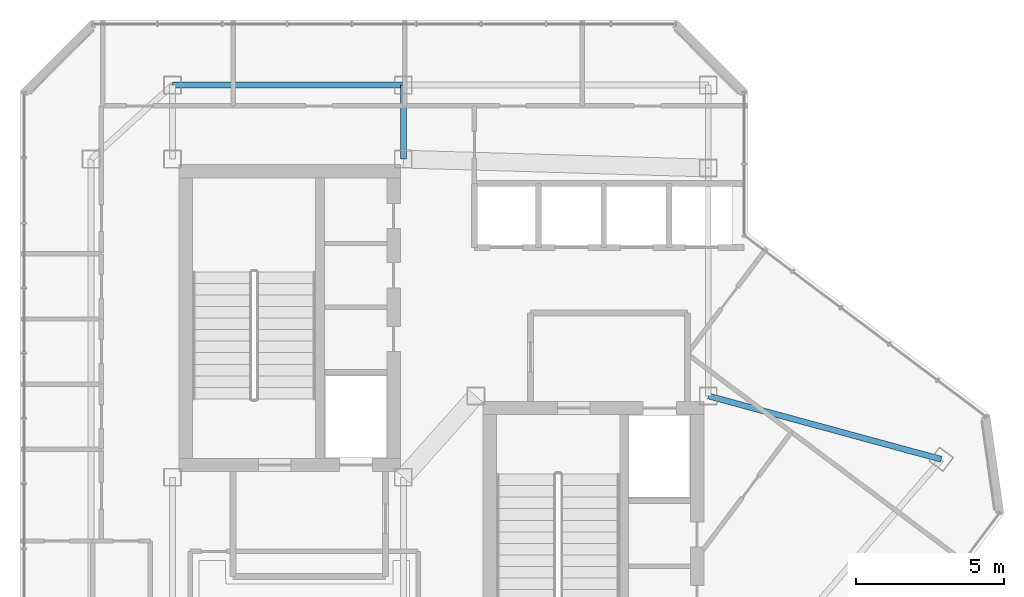
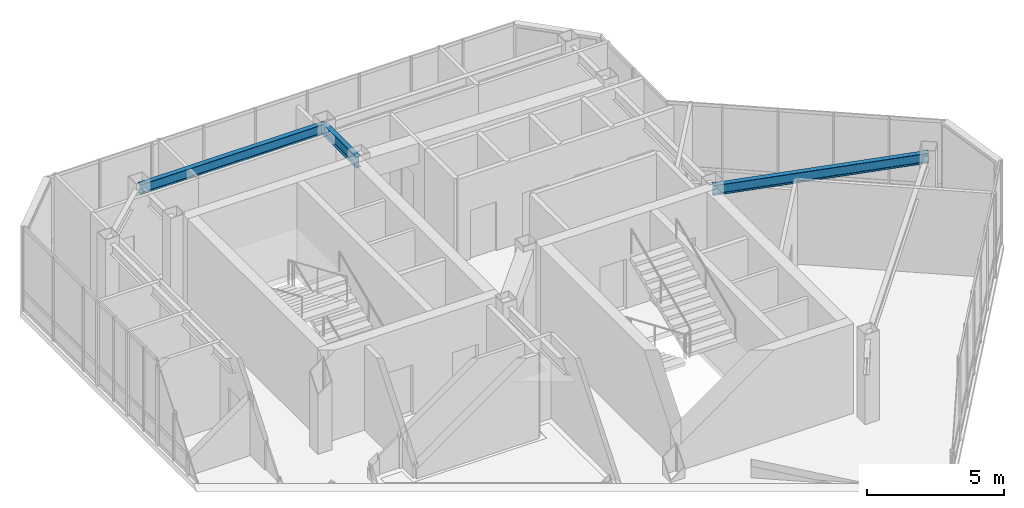
# One storey, part 16 of 30: 3 beams.
"""IFC4 building model written with IfcOpenShell, lengths in metres."""

from ifc_helpers import new_model, si_unit, direction, frame, origin, origin_2d, place, context, subcontext, project, spatial, i_section, extrude, material, material_profile, profile_set, type_object, element, save


model = new_model("IFC4")

# Units and contexts
model_context = context("Model", 3, precision=1e-05, world=origin(), true_north=direction((0.0, 1.0)))
body_context = subcontext(model_context, "Body", "Model", "MODEL_VIEW")
ifc_project = project(units=[si_unit("LENGTHUNIT", "METRE"), si_unit("AREAUNIT", "SQUARE_METRE"), si_unit("VOLUMEUNIT", "CUBIC_METRE"), si_unit("PLANEANGLEUNIT", "RADIAN"), si_unit("MASSUNIT", "GRAM", prefix="KILO")], contexts=[model_context])

# Site, building, storey
site_placement = place(None, origin())
site = spatial("IfcSite", under=ifc_project, at=site_placement, CompositionType="ELEMENT")
building_placement = place(site_placement, origin())
building = spatial("IfcBuilding", under=site, at=building_placement, Name="Hatsunagi Terrace Concourse", CompositionType="ELEMENT")
storey_placement = place(building_placement, frame((0.0, 0.0, 273.949951171875)))
storey = spatial("IfcBuildingStorey", under=building, at=storey_placement, Name="L72", CompositionType="ELEMENT", Elevation=273.949951171875)

# Beams
ifc_material_1 = material(Name="Steel SN490B", Category="steel")
ifc_material_profile_1 = material_profile(ifc_material_1, i_section(OverallWidth=0.199951171875, OverallDepth=0.5, WebThickness=0.010009765625, FlangeThickness=0.01611328125, FilletRadius=0.01611328125, at=origin_2d()), Name="H-500x200x10x16")
ifc_profile_set_1 = profile_set([ifc_material_profile_1], Name="Steel SN490B")
beam_type_1 = type_object("IfcBeamType", Name="CrownFloorGirder_H_500x200", PredefinedType="BEAM", material=ifc_profile_set_1)
beam_1_placement = place(storey_placement, frame((33.35009765625, 43.300048828125, 3.5), z_axis=(0.0, 1.0, 0.0), x_axis=(-1.0, 0.0, 0.0)))
element("IfcBeam", 1, at=beam_1_placement, inside=storey, type_object=beam_type_1, Name="Beam G-07 BM-L72-CN2", PredefinedType="BEAM", context=body_context, shape_type="SweptSolid", body=[
    extrude(i_section(OverallWidth=0.199951171875, OverallDepth=0.5, WebThickness=0.010009765625, FlangeThickness=0.01611328125, FilletRadius=0.01611328125, at=origin_2d()), origin(), (0.0, 0.0, 1.0), 2.5),
])
ifc_material_2 = material(Name="Steel SN490B", Category="steel")
ifc_material_profile_2 = material_profile(ifc_material_2, i_section(OverallWidth=0.199951171875, OverallDepth=0.449951171875, WebThickness=0.009033203125, FlangeThickness=0.013916015625, FilletRadius=0.01611328125, at=origin_2d()), Name="H-450x200x9x14")
ifc_profile_set_2 = profile_set([ifc_material_profile_2], Name="Steel SN490B")
beam_type_2 = type_object("IfcBeamType", Name="PerimeterSpandrel_H_450x200", PredefinedType="SPANDREL", material=ifc_profile_set_2)
beam_2_placement = place(storey_placement, frame((25.550048828125, 45.800048828125, 3.525146484375), z_axis=(1.0, 0.0, 0.0), x_axis=(0.0, 1.0, 0.0)))
element("IfcBeam", 2, at=beam_2_placement, inside=storey, type_object=beam_type_2, Name="Beam SP-02 BM-L72-CNEW1", PredefinedType="SPANDREL", context=body_context, shape_type="SweptSolid", body=[
    extrude(i_section(OverallWidth=0.199951171875, OverallDepth=0.449951171875, WebThickness=0.009033203125, FlangeThickness=0.013916015625, FilletRadius=0.01611328125, at=origin_2d()), origin(), (0.0, 0.0, 1.0), 7.800048828125),
])
beam_3_placement = place(storey_placement, frame((43.64990234375, 35.300048828125, 3.525146484375), z_axis=(0.964958359286, -0.262403057994, 0.0), x_axis=(0.262403057994, 0.964958359286, 0.0)))
element("IfcBeam", 3, at=beam_3_placement, inside=storey, type_object=beam_type_2, Name="Beam SP-02 BM-L72-SE-NE0", PredefinedType="SPANDREL", context=body_context, shape_type="SweptSolid", body=[
    extrude(i_section(OverallWidth=0.199951171875, OverallDepth=0.449951171875, WebThickness=0.009033203125, FlangeThickness=0.013916015625, FilletRadius=0.01611328125, at=origin_2d()), origin(), (0.0, 0.0, 1.0), 8.156005859375),
])

save(model, "model.ifc")
